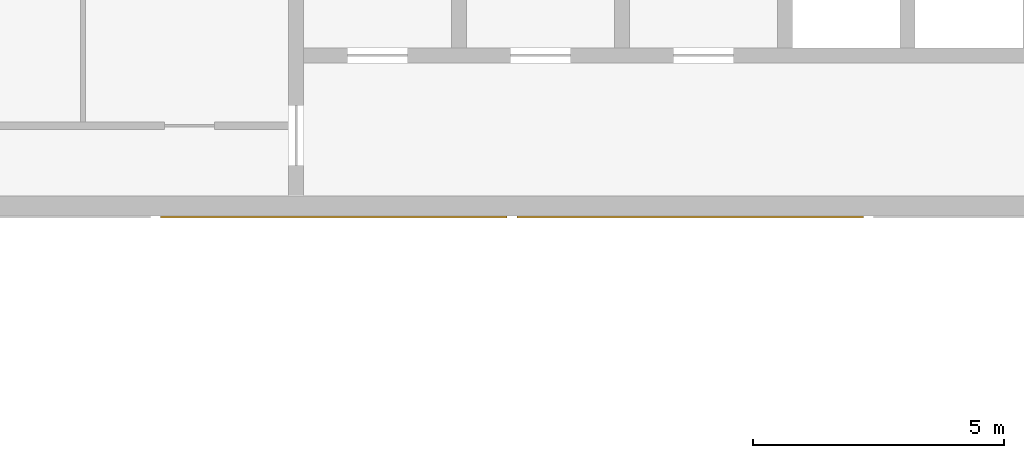
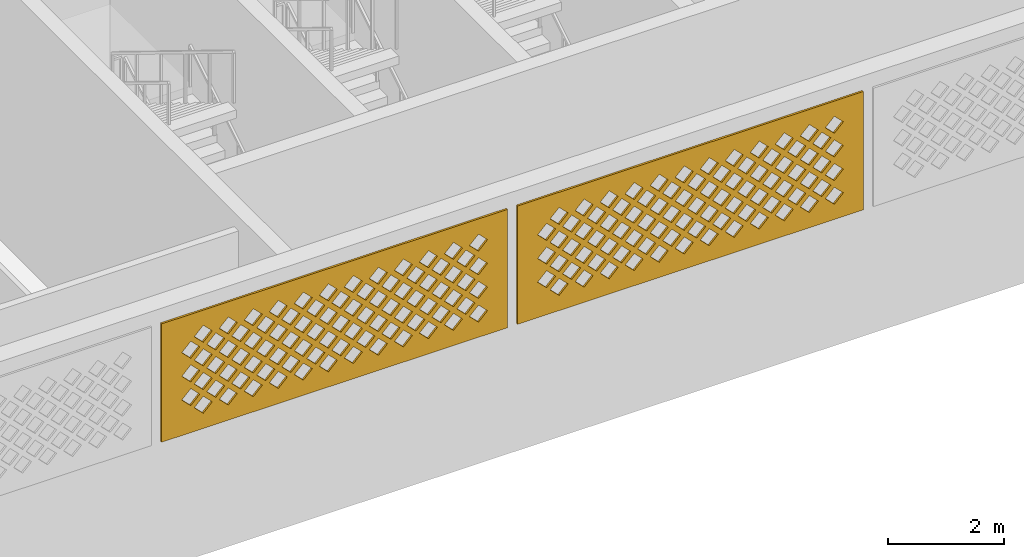
# One storey, part 27 of 69: 2 coverings.
"""IFC4 building model written with IfcOpenShell, lengths in metres."""

from ifc_helpers import new_model, si_unit, direction, frame, origin, place, context, subcontext, project, spatial, polyline, outline, extrude, material, layer, layer_set, type_object, element, save


model = new_model("IFC4")

# Units and contexts
model_context = context("Model", 3, precision=1e-05, world=origin(), true_north=direction((0.0, 1.0)))
body_context = subcontext(model_context, "Body", "Model", "MODEL_VIEW")
ifc_project = project(units=[si_unit("LENGTHUNIT", "METRE"), si_unit("AREAUNIT", "SQUARE_METRE"), si_unit("VOLUMEUNIT", "CUBIC_METRE"), si_unit("PLANEANGLEUNIT", "RADIAN"), si_unit("MASSUNIT", "GRAM", prefix="KILO")], contexts=[model_context])

# Site, building, storey
site_placement = place(None, origin())
site = spatial("IfcSite", under=ifc_project, at=site_placement, CompositionType="ELEMENT")
building_placement = place(site_placement, origin())
building = spatial("IfcBuilding", under=site, at=building_placement, Name="Noorbagh Ring Tower", CompositionType="ELEMENT")
storey_placement = place(building_placement, frame((0.0, 0.0, 19.5)))
storey = spatial("IfcBuildingStorey", under=building, at=storey_placement, Name="L03", CompositionType="ELEMENT", Elevation=19.5)

# Coverings
ifc_material = material(Name="Red sandstone jali", Category="masonry")
ifc_layer = layer(ifc_material, 0.0400390625)
ifc_layer_set = layer_set([ifc_layer], Name="Red sandstone jali")
covering_type = type_object("IfcCoveringType", Name="STH-BAND", PredefinedType="USERDEFINED", material=ifc_layer_set)
covering_1_placement = place(storey_placement, frame((-130.95556640625, -21.0400390625, 2.699951171875), z_axis=(0.0, -1.0, 0.0), x_axis=(1.0, 0.0, 0.0)))
element("IfcCovering", 1, at=covering_1_placement, inside=storey, type_object=covering_type, Name="Jali band", ObjectType="JALI SCREEN", PredefinedType="USERDEFINED", context=body_context, shape_type="SweptSolid", body=[
    extrude(outline(polyline([(0.0, 0.0), (6.9111328125, 0.0), (6.9111328125, 2.5), (0.0, 2.5), (0.0, 0.0)]), holes=[polyline([(0.650634765625, 0.5), (0.83056640625, 0.320068359375), (1.010498046875, 0.5), (0.83056640625, 0.679931640625), (0.650634765625, 0.5)]), polyline([(1.150634765625, 0.5), (1.33056640625, 0.320068359375), (1.510498046875, 0.5), (1.33056640625, 0.679931640625), (1.150634765625, 0.5)]), polyline([(1.650634765625, 0.5), (1.83056640625, 0.320068359375), (2.010498046875, 0.5), (1.83056640625, 0.679931640625), (1.650634765625, 0.5)]), polyline([(2.150634765625, 0.5), (2.33056640625, 0.320068359375), (2.510498046875, 0.5), (2.33056640625, 0.679931640625), (2.150634765625, 0.5)]), polyline([(2.650634765625, 0.5), (2.83056640625, 0.320068359375), (3.010498046875, 0.5), (2.83056640625, 0.679931640625), (2.650634765625, 0.5)]), polyline([(3.150634765625, 0.5), (3.33056640625, 0.320068359375), (3.510498046875, 0.5), (3.33056640625, 0.679931640625), (3.150634765625, 0.5)]), polyline([(3.650634765625, 0.5), (3.83056640625, 0.320068359375), (4.010498046875, 0.5), (3.83056640625, 0.679931640625), (3.650634765625, 0.5)]), polyline([(4.150634765625, 0.5), (4.33056640625, 0.320068359375), (4.510498046875, 0.5), (4.33056640625, 0.679931640625), (4.150634765625, 0.5)]), polyline([(4.650634765625, 0.5), (4.83056640625, 0.320068359375), (5.010498046875, 0.5), (4.83056640625, 0.679931640625), (4.650634765625, 0.5)]), polyline([(5.150634765625, 0.5), (5.33056640625, 0.320068359375), (5.510498046875, 0.5), (5.33056640625, 0.679931640625), (5.150634765625, 0.5)]), polyline([(5.650634765625, 0.5), (5.83056640625, 0.320068359375), (6.010498046875, 0.5), (5.83056640625, 0.679931640625), (5.650634765625, 0.5)]), polyline([(6.150634765625, 0.5), (6.33056640625, 0.320068359375), (6.510498046875, 0.5), (6.33056640625, 0.679931640625), (6.150634765625, 0.5)]), polyline([(0.400634765625, 0.75), (0.58056640625, 0.570068359375), (0.760498046875, 0.75), (0.58056640625, 0.929931640625), (0.400634765625, 0.75)]), polyline([(0.900634765625, 0.75), (1.08056640625, 0.570068359375), (1.260498046875, 0.75), (1.08056640625, 0.929931640625), (0.900634765625, 0.75)]), polyline([(1.400634765625, 0.75), (1.58056640625, 0.570068359375), (1.760498046875, 0.75), (1.58056640625, 0.929931640625), (1.400634765625, 0.75)]), polyline([(1.900634765625, 0.75), (2.08056640625, 0.570068359375), (2.260498046875, 0.75), (2.08056640625, 0.929931640625), (1.900634765625, 0.75)]), polyline([(2.400634765625, 0.75), (2.58056640625, 0.570068359375), (2.760498046875, 0.75), (2.58056640625, 0.929931640625), (2.400634765625, 0.75)]), polyline([(2.900634765625, 0.75), (3.08056640625, 0.570068359375), (3.260498046875, 0.75), (3.08056640625, 0.929931640625), (2.900634765625, 0.75)]), polyline([(3.400634765625, 0.75), (3.58056640625, 0.570068359375), (3.760498046875, 0.75), (3.58056640625, 0.929931640625), (3.400634765625, 0.75)]), polyline([(3.900634765625, 0.75), (4.08056640625, 0.570068359375), (4.260498046875, 0.75), (4.08056640625, 0.929931640625), (3.900634765625, 0.75)]), polyline([(4.400634765625, 0.75), (4.58056640625, 0.570068359375), (4.760498046875, 0.75), (4.58056640625, 0.929931640625), (4.400634765625, 0.75)]), polyline([(4.900634765625, 0.75), (5.08056640625, 0.570068359375), (5.260498046875, 0.75), (5.08056640625, 0.929931640625), (4.900634765625, 0.75)]), polyline([(5.400634765625, 0.75), (5.58056640625, 0.570068359375), (5.760498046875, 0.75), (5.58056640625, 0.929931640625), (5.400634765625, 0.75)]), polyline([(5.900634765625, 0.75), (6.08056640625, 0.570068359375), (6.260498046875, 0.75), (6.08056640625, 0.929931640625), (5.900634765625, 0.75)]), polyline([(0.650634765625, 1.0), (0.83056640625, 0.820068359375), (1.010498046875, 1.0), (0.83056640625, 1.179931640625), (0.650634765625, 1.0)]), polyline([(1.150634765625, 1.0), (1.33056640625, 0.820068359375), (1.510498046875, 1.0), (1.33056640625, 1.179931640625), (1.150634765625, 1.0)]), polyline([(1.650634765625, 1.0), (1.83056640625, 0.820068359375), (2.010498046875, 1.0), (1.83056640625, 1.179931640625), (1.650634765625, 1.0)]), polyline([(2.150634765625, 1.0), (2.33056640625, 0.820068359375), (2.510498046875, 1.0), (2.33056640625, 1.179931640625), (2.150634765625, 1.0)]), polyline([(2.650634765625, 1.0), (2.83056640625, 0.820068359375), (3.010498046875, 1.0), (2.83056640625, 1.179931640625), (2.650634765625, 1.0)]), polyline([(3.150634765625, 1.0), (3.33056640625, 0.820068359375), (3.510498046875, 1.0), (3.33056640625, 1.179931640625), (3.150634765625, 1.0)]), polyline([(3.650634765625, 1.0), (3.83056640625, 0.820068359375), (4.010498046875, 1.0), (3.83056640625, 1.179931640625), (3.650634765625, 1.0)]), polyline([(4.150634765625, 1.0), (4.33056640625, 0.820068359375), (4.510498046875, 1.0), (4.33056640625, 1.179931640625), (4.150634765625, 1.0)]), polyline([(4.650634765625, 1.0), (4.83056640625, 0.820068359375), (5.010498046875, 1.0), (4.83056640625, 1.179931640625), (4.650634765625, 1.0)]), polyline([(5.150634765625, 1.0), (5.33056640625, 0.820068359375), (5.510498046875, 1.0), (5.33056640625, 1.179931640625), (5.150634765625, 1.0)]), polyline([(5.650634765625, 1.0), (5.83056640625, 0.820068359375), (6.010498046875, 1.0), (5.83056640625, 1.179931640625), (5.650634765625, 1.0)]), polyline([(6.150634765625, 1.0), (6.33056640625, 0.820068359375), (6.510498046875, 1.0), (6.33056640625, 1.179931640625), (6.150634765625, 1.0)]), polyline([(0.400634765625, 1.25), (0.58056640625, 1.070068359375), (0.760498046875, 1.25), (0.58056640625, 1.429931640625), (0.400634765625, 1.25)]), polyline([(0.900634765625, 1.25), (1.08056640625, 1.070068359375), (1.260498046875, 1.25), (1.08056640625, 1.429931640625), (0.900634765625, 1.25)]), polyline([(1.400634765625, 1.25), (1.58056640625, 1.070068359375), (1.760498046875, 1.25), (1.58056640625, 1.429931640625), (1.400634765625, 1.25)]), polyline([(1.900634765625, 1.25), (2.08056640625, 1.070068359375), (2.260498046875, 1.25), (2.08056640625, 1.429931640625), (1.900634765625, 1.25)]), polyline([(2.400634765625, 1.25), (2.58056640625, 1.070068359375), (2.760498046875, 1.25), (2.58056640625, 1.429931640625), (2.400634765625, 1.25)]), polyline([(2.900634765625, 1.25), (3.08056640625, 1.070068359375), (3.260498046875, 1.25), (3.08056640625, 1.429931640625), (2.900634765625, 1.25)]), polyline([(3.400634765625, 1.25), (3.58056640625, 1.070068359375), (3.760498046875, 1.25), (3.58056640625, 1.429931640625), (3.400634765625, 1.25)]), polyline([(3.900634765625, 1.25), (4.08056640625, 1.070068359375), (4.260498046875, 1.25), (4.08056640625, 1.429931640625), (3.900634765625, 1.25)]), polyline([(4.400634765625, 1.25), (4.58056640625, 1.070068359375), (4.760498046875, 1.25), (4.58056640625, 1.429931640625), (4.400634765625, 1.25)]), polyline([(4.900634765625, 1.25), (5.08056640625, 1.070068359375), (5.260498046875, 1.25), (5.08056640625, 1.429931640625), (4.900634765625, 1.25)]), polyline([(5.400634765625, 1.25), (5.58056640625, 1.070068359375), (5.760498046875, 1.25), (5.58056640625, 1.429931640625), (5.400634765625, 1.25)]), polyline([(5.900634765625, 1.25), (6.08056640625, 1.070068359375), (6.260498046875, 1.25), (6.08056640625, 1.429931640625), (5.900634765625, 1.25)]), polyline([(0.650634765625, 1.5), (0.83056640625, 1.320068359375), (1.010498046875, 1.5), (0.83056640625, 1.679931640625), (0.650634765625, 1.5)]), polyline([(1.150634765625, 1.5), (1.33056640625, 1.320068359375), (1.510498046875, 1.5), (1.33056640625, 1.679931640625), (1.150634765625, 1.5)]), polyline([(1.650634765625, 1.5), (1.83056640625, 1.320068359375), (2.010498046875, 1.5), (1.83056640625, 1.679931640625), (1.650634765625, 1.5)]), polyline([(2.150634765625, 1.5), (2.33056640625, 1.320068359375), (2.510498046875, 1.5), (2.33056640625, 1.679931640625), (2.150634765625, 1.5)]), polyline([(2.650634765625, 1.5), (2.83056640625, 1.320068359375), (3.010498046875, 1.5), (2.83056640625, 1.679931640625), (2.650634765625, 1.5)]), polyline([(3.150634765625, 1.5), (3.33056640625, 1.320068359375), (3.510498046875, 1.5), (3.33056640625, 1.679931640625), (3.150634765625, 1.5)]), polyline([(3.650634765625, 1.5), (3.83056640625, 1.320068359375), (4.010498046875, 1.5), (3.83056640625, 1.679931640625), (3.650634765625, 1.5)]), polyline([(4.150634765625, 1.5), (4.33056640625, 1.320068359375), (4.510498046875, 1.5), (4.33056640625, 1.679931640625), (4.150634765625, 1.5)]), polyline([(4.650634765625, 1.5), (4.83056640625, 1.320068359375), (5.010498046875, 1.5), (4.83056640625, 1.679931640625), (4.650634765625, 1.5)]), polyline([(5.150634765625, 1.5), (5.33056640625, 1.320068359375), (5.510498046875, 1.5), (5.33056640625, 1.679931640625), (5.150634765625, 1.5)]), polyline([(5.650634765625, 1.5), (5.83056640625, 1.320068359375), (6.010498046875, 1.5), (5.83056640625, 1.679931640625), (5.650634765625, 1.5)]), polyline([(6.150634765625, 1.5), (6.33056640625, 1.320068359375), (6.510498046875, 1.5), (6.33056640625, 1.679931640625), (6.150634765625, 1.5)]), polyline([(0.400634765625, 1.75), (0.58056640625, 1.570068359375), (0.760498046875, 1.75), (0.58056640625, 1.929931640625), (0.400634765625, 1.75)]), polyline([(0.900634765625, 1.75), (1.08056640625, 1.570068359375), (1.260498046875, 1.75), (1.08056640625, 1.929931640625), (0.900634765625, 1.75)]), polyline([(1.400634765625, 1.75), (1.58056640625, 1.570068359375), (1.760498046875, 1.75), (1.58056640625, 1.929931640625), (1.400634765625, 1.75)]), polyline([(1.900634765625, 1.75), (2.08056640625, 1.570068359375), (2.260498046875, 1.75), (2.08056640625, 1.929931640625), (1.900634765625, 1.75)]), polyline([(2.400634765625, 1.75), (2.58056640625, 1.570068359375), (2.760498046875, 1.75), (2.58056640625, 1.929931640625), (2.400634765625, 1.75)]), polyline([(2.900634765625, 1.75), (3.08056640625, 1.570068359375), (3.260498046875, 1.75), (3.08056640625, 1.929931640625), (2.900634765625, 1.75)]), polyline([(3.400634765625, 1.75), (3.58056640625, 1.570068359375), (3.760498046875, 1.75), (3.58056640625, 1.929931640625), (3.400634765625, 1.75)]), polyline([(3.900634765625, 1.75), (4.08056640625, 1.570068359375), (4.260498046875, 1.75), (4.08056640625, 1.929931640625), (3.900634765625, 1.75)]), polyline([(4.400634765625, 1.75), (4.58056640625, 1.570068359375), (4.760498046875, 1.75), (4.58056640625, 1.929931640625), (4.400634765625, 1.75)]), polyline([(4.900634765625, 1.75), (5.08056640625, 1.570068359375), (5.260498046875, 1.75), (5.08056640625, 1.929931640625), (4.900634765625, 1.75)]), polyline([(5.400634765625, 1.75), (5.58056640625, 1.570068359375), (5.760498046875, 1.75), (5.58056640625, 1.929931640625), (5.400634765625, 1.75)]), polyline([(5.900634765625, 1.75), (6.08056640625, 1.570068359375), (6.260498046875, 1.75), (6.08056640625, 1.929931640625), (5.900634765625, 1.75)]), polyline([(0.650634765625, 2.0), (0.83056640625, 1.820068359375), (1.010498046875, 2.0), (0.83056640625, 2.179931640625), (0.650634765625, 2.0)]), polyline([(1.150634765625, 2.0), (1.33056640625, 1.820068359375), (1.510498046875, 2.0), (1.33056640625, 2.179931640625), (1.150634765625, 2.0)]), polyline([(1.650634765625, 2.0), (1.83056640625, 1.820068359375), (2.010498046875, 2.0), (1.83056640625, 2.179931640625), (1.650634765625, 2.0)]), polyline([(2.150634765625, 2.0), (2.33056640625, 1.820068359375), (2.510498046875, 2.0), (2.33056640625, 2.179931640625), (2.150634765625, 2.0)]), polyline([(2.650634765625, 2.0), (2.83056640625, 1.820068359375), (3.010498046875, 2.0), (2.83056640625, 2.179931640625), (2.650634765625, 2.0)]), polyline([(3.150634765625, 2.0), (3.33056640625, 1.820068359375), (3.510498046875, 2.0), (3.33056640625, 2.179931640625), (3.150634765625, 2.0)]), polyline([(3.650634765625, 2.0), (3.83056640625, 1.820068359375), (4.010498046875, 2.0), (3.83056640625, 2.179931640625), (3.650634765625, 2.0)]), polyline([(4.150634765625, 2.0), (4.33056640625, 1.820068359375), (4.510498046875, 2.0), (4.33056640625, 2.179931640625), (4.150634765625, 2.0)]), polyline([(4.650634765625, 2.0), (4.83056640625, 1.820068359375), (5.010498046875, 2.0), (4.83056640625, 2.179931640625), (4.650634765625, 2.0)]), polyline([(5.150634765625, 2.0), (5.33056640625, 1.820068359375), (5.510498046875, 2.0), (5.33056640625, 2.179931640625), (5.150634765625, 2.0)]), polyline([(5.650634765625, 2.0), (5.83056640625, 1.820068359375), (6.010498046875, 2.0), (5.83056640625, 2.179931640625), (5.650634765625, 2.0)]), polyline([(6.150634765625, 2.0), (6.33056640625, 1.820068359375), (6.510498046875, 2.0), (6.33056640625, 2.179931640625), (6.150634765625, 2.0)])]), origin(), (0.0, 0.0, -1.0), 0.0400390625),
])
covering_2_placement = place(storey_placement, frame((-123.844482421875, -21.0400390625, 2.699951171875), z_axis=(0.0, -1.0, 0.0), x_axis=(1.0, 0.0, 0.0)))
element("IfcCovering", 2, at=covering_2_placement, inside=storey, type_object=covering_type, Name="Jali band", ObjectType="JALI SCREEN", PredefinedType="USERDEFINED", context=body_context, shape_type="SweptSolid", body=[
    extrude(outline(polyline([(0.0, 0.0), (6.9111328125, 0.0), (6.9111328125, 2.5), (0.0, 2.5), (0.0, 0.0)]), holes=[polyline([(0.650634765625, 0.5), (0.83056640625, 0.320068359375), (1.010498046875, 0.5), (0.83056640625, 0.679931640625), (0.650634765625, 0.5)]), polyline([(1.150634765625, 0.5), (1.33056640625, 0.320068359375), (1.510498046875, 0.5), (1.33056640625, 0.679931640625), (1.150634765625, 0.5)]), polyline([(1.650634765625, 0.5), (1.83056640625, 0.320068359375), (2.010498046875, 0.5), (1.83056640625, 0.679931640625), (1.650634765625, 0.5)]), polyline([(2.150634765625, 0.5), (2.33056640625, 0.320068359375), (2.510498046875, 0.5), (2.33056640625, 0.679931640625), (2.150634765625, 0.5)]), polyline([(2.650634765625, 0.5), (2.83056640625, 0.320068359375), (3.010498046875, 0.5), (2.83056640625, 0.679931640625), (2.650634765625, 0.5)]), polyline([(3.150634765625, 0.5), (3.33056640625, 0.320068359375), (3.510498046875, 0.5), (3.33056640625, 0.679931640625), (3.150634765625, 0.5)]), polyline([(3.650634765625, 0.5), (3.83056640625, 0.320068359375), (4.010498046875, 0.5), (3.83056640625, 0.679931640625), (3.650634765625, 0.5)]), polyline([(4.150634765625, 0.5), (4.33056640625, 0.320068359375), (4.510498046875, 0.5), (4.33056640625, 0.679931640625), (4.150634765625, 0.5)]), polyline([(4.650634765625, 0.5), (4.83056640625, 0.320068359375), (5.010498046875, 0.5), (4.83056640625, 0.679931640625), (4.650634765625, 0.5)]), polyline([(5.150634765625, 0.5), (5.33056640625, 0.320068359375), (5.510498046875, 0.5), (5.33056640625, 0.679931640625), (5.150634765625, 0.5)]), polyline([(5.650634765625, 0.5), (5.83056640625, 0.320068359375), (6.010498046875, 0.5), (5.83056640625, 0.679931640625), (5.650634765625, 0.5)]), polyline([(6.150634765625, 0.5), (6.33056640625, 0.320068359375), (6.510498046875, 0.5), (6.33056640625, 0.679931640625), (6.150634765625, 0.5)]), polyline([(0.400634765625, 0.75), (0.58056640625, 0.570068359375), (0.760498046875, 0.75), (0.58056640625, 0.929931640625), (0.400634765625, 0.75)]), polyline([(0.900634765625, 0.75), (1.08056640625, 0.570068359375), (1.260498046875, 0.75), (1.08056640625, 0.929931640625), (0.900634765625, 0.75)]), polyline([(1.400634765625, 0.75), (1.58056640625, 0.570068359375), (1.760498046875, 0.75), (1.58056640625, 0.929931640625), (1.400634765625, 0.75)]), polyline([(1.900634765625, 0.75), (2.08056640625, 0.570068359375), (2.260498046875, 0.75), (2.08056640625, 0.929931640625), (1.900634765625, 0.75)]), polyline([(2.400634765625, 0.75), (2.58056640625, 0.570068359375), (2.760498046875, 0.75), (2.58056640625, 0.929931640625), (2.400634765625, 0.75)]), polyline([(2.900634765625, 0.75), (3.08056640625, 0.570068359375), (3.260498046875, 0.75), (3.08056640625, 0.929931640625), (2.900634765625, 0.75)]), polyline([(3.400634765625, 0.75), (3.58056640625, 0.570068359375), (3.760498046875, 0.75), (3.58056640625, 0.929931640625), (3.400634765625, 0.75)]), polyline([(3.900634765625, 0.75), (4.08056640625, 0.570068359375), (4.260498046875, 0.75), (4.08056640625, 0.929931640625), (3.900634765625, 0.75)]), polyline([(4.400634765625, 0.75), (4.58056640625, 0.570068359375), (4.760498046875, 0.75), (4.58056640625, 0.929931640625), (4.400634765625, 0.75)]), polyline([(4.900634765625, 0.75), (5.08056640625, 0.570068359375), (5.260498046875, 0.75), (5.08056640625, 0.929931640625), (4.900634765625, 0.75)]), polyline([(5.400634765625, 0.75), (5.58056640625, 0.570068359375), (5.760498046875, 0.75), (5.58056640625, 0.929931640625), (5.400634765625, 0.75)]), polyline([(5.900634765625, 0.75), (6.08056640625, 0.570068359375), (6.260498046875, 0.75), (6.08056640625, 0.929931640625), (5.900634765625, 0.75)]), polyline([(0.650634765625, 1.0), (0.83056640625, 0.820068359375), (1.010498046875, 1.0), (0.83056640625, 1.179931640625), (0.650634765625, 1.0)]), polyline([(1.150634765625, 1.0), (1.33056640625, 0.820068359375), (1.510498046875, 1.0), (1.33056640625, 1.179931640625), (1.150634765625, 1.0)]), polyline([(1.650634765625, 1.0), (1.83056640625, 0.820068359375), (2.010498046875, 1.0), (1.83056640625, 1.179931640625), (1.650634765625, 1.0)]), polyline([(2.150634765625, 1.0), (2.33056640625, 0.820068359375), (2.510498046875, 1.0), (2.33056640625, 1.179931640625), (2.150634765625, 1.0)]), polyline([(2.650634765625, 1.0), (2.83056640625, 0.820068359375), (3.010498046875, 1.0), (2.83056640625, 1.179931640625), (2.650634765625, 1.0)]), polyline([(3.150634765625, 1.0), (3.33056640625, 0.820068359375), (3.510498046875, 1.0), (3.33056640625, 1.179931640625), (3.150634765625, 1.0)]), polyline([(3.650634765625, 1.0), (3.83056640625, 0.820068359375), (4.010498046875, 1.0), (3.83056640625, 1.179931640625), (3.650634765625, 1.0)]), polyline([(4.150634765625, 1.0), (4.33056640625, 0.820068359375), (4.510498046875, 1.0), (4.33056640625, 1.179931640625), (4.150634765625, 1.0)]), polyline([(4.650634765625, 1.0), (4.83056640625, 0.820068359375), (5.010498046875, 1.0), (4.83056640625, 1.179931640625), (4.650634765625, 1.0)]), polyline([(5.150634765625, 1.0), (5.33056640625, 0.820068359375), (5.510498046875, 1.0), (5.33056640625, 1.179931640625), (5.150634765625, 1.0)]), polyline([(5.650634765625, 1.0), (5.83056640625, 0.820068359375), (6.010498046875, 1.0), (5.83056640625, 1.179931640625), (5.650634765625, 1.0)]), polyline([(6.150634765625, 1.0), (6.33056640625, 0.820068359375), (6.510498046875, 1.0), (6.33056640625, 1.179931640625), (6.150634765625, 1.0)]), polyline([(0.400634765625, 1.25), (0.58056640625, 1.070068359375), (0.760498046875, 1.25), (0.58056640625, 1.429931640625), (0.400634765625, 1.25)]), polyline([(0.900634765625, 1.25), (1.08056640625, 1.070068359375), (1.260498046875, 1.25), (1.08056640625, 1.429931640625), (0.900634765625, 1.25)]), polyline([(1.400634765625, 1.25), (1.58056640625, 1.070068359375), (1.760498046875, 1.25), (1.58056640625, 1.429931640625), (1.400634765625, 1.25)]), polyline([(1.900634765625, 1.25), (2.08056640625, 1.070068359375), (2.260498046875, 1.25), (2.08056640625, 1.429931640625), (1.900634765625, 1.25)]), polyline([(2.400634765625, 1.25), (2.58056640625, 1.070068359375), (2.760498046875, 1.25), (2.58056640625, 1.429931640625), (2.400634765625, 1.25)]), polyline([(2.900634765625, 1.25), (3.08056640625, 1.070068359375), (3.260498046875, 1.25), (3.08056640625, 1.429931640625), (2.900634765625, 1.25)]), polyline([(3.400634765625, 1.25), (3.58056640625, 1.070068359375), (3.760498046875, 1.25), (3.58056640625, 1.429931640625), (3.400634765625, 1.25)]), polyline([(3.900634765625, 1.25), (4.08056640625, 1.070068359375), (4.260498046875, 1.25), (4.08056640625, 1.429931640625), (3.900634765625, 1.25)]), polyline([(4.400634765625, 1.25), (4.58056640625, 1.070068359375), (4.760498046875, 1.25), (4.58056640625, 1.429931640625), (4.400634765625, 1.25)]), polyline([(4.900634765625, 1.25), (5.08056640625, 1.070068359375), (5.260498046875, 1.25), (5.08056640625, 1.429931640625), (4.900634765625, 1.25)]), polyline([(5.400634765625, 1.25), (5.58056640625, 1.070068359375), (5.760498046875, 1.25), (5.58056640625, 1.429931640625), (5.400634765625, 1.25)]), polyline([(5.900634765625, 1.25), (6.08056640625, 1.070068359375), (6.260498046875, 1.25), (6.08056640625, 1.429931640625), (5.900634765625, 1.25)]), polyline([(0.650634765625, 1.5), (0.83056640625, 1.320068359375), (1.010498046875, 1.5), (0.83056640625, 1.679931640625), (0.650634765625, 1.5)]), polyline([(1.150634765625, 1.5), (1.33056640625, 1.320068359375), (1.510498046875, 1.5), (1.33056640625, 1.679931640625), (1.150634765625, 1.5)]), polyline([(1.650634765625, 1.5), (1.83056640625, 1.320068359375), (2.010498046875, 1.5), (1.83056640625, 1.679931640625), (1.650634765625, 1.5)]), polyline([(2.150634765625, 1.5), (2.33056640625, 1.320068359375), (2.510498046875, 1.5), (2.33056640625, 1.679931640625), (2.150634765625, 1.5)]), polyline([(2.650634765625, 1.5), (2.83056640625, 1.320068359375), (3.010498046875, 1.5), (2.83056640625, 1.679931640625), (2.650634765625, 1.5)]), polyline([(3.150634765625, 1.5), (3.33056640625, 1.320068359375), (3.510498046875, 1.5), (3.33056640625, 1.679931640625), (3.150634765625, 1.5)]), polyline([(3.650634765625, 1.5), (3.83056640625, 1.320068359375), (4.010498046875, 1.5), (3.83056640625, 1.679931640625), (3.650634765625, 1.5)]), polyline([(4.150634765625, 1.5), (4.33056640625, 1.320068359375), (4.510498046875, 1.5), (4.33056640625, 1.679931640625), (4.150634765625, 1.5)]), polyline([(4.650634765625, 1.5), (4.83056640625, 1.320068359375), (5.010498046875, 1.5), (4.83056640625, 1.679931640625), (4.650634765625, 1.5)]), polyline([(5.150634765625, 1.5), (5.33056640625, 1.320068359375), (5.510498046875, 1.5), (5.33056640625, 1.679931640625), (5.150634765625, 1.5)]), polyline([(5.650634765625, 1.5), (5.83056640625, 1.320068359375), (6.010498046875, 1.5), (5.83056640625, 1.679931640625), (5.650634765625, 1.5)]), polyline([(6.150634765625, 1.5), (6.33056640625, 1.320068359375), (6.510498046875, 1.5), (6.33056640625, 1.679931640625), (6.150634765625, 1.5)]), polyline([(0.400634765625, 1.75), (0.58056640625, 1.570068359375), (0.760498046875, 1.75), (0.58056640625, 1.929931640625), (0.400634765625, 1.75)]), polyline([(0.900634765625, 1.75), (1.08056640625, 1.570068359375), (1.260498046875, 1.75), (1.08056640625, 1.929931640625), (0.900634765625, 1.75)]), polyline([(1.400634765625, 1.75), (1.58056640625, 1.570068359375), (1.760498046875, 1.75), (1.58056640625, 1.929931640625), (1.400634765625, 1.75)]), polyline([(1.900634765625, 1.75), (2.08056640625, 1.570068359375), (2.260498046875, 1.75), (2.08056640625, 1.929931640625), (1.900634765625, 1.75)]), polyline([(2.400634765625, 1.75), (2.58056640625, 1.570068359375), (2.760498046875, 1.75), (2.58056640625, 1.929931640625), (2.400634765625, 1.75)]), polyline([(2.900634765625, 1.75), (3.08056640625, 1.570068359375), (3.260498046875, 1.75), (3.08056640625, 1.929931640625), (2.900634765625, 1.75)]), polyline([(3.400634765625, 1.75), (3.58056640625, 1.570068359375), (3.760498046875, 1.75), (3.58056640625, 1.929931640625), (3.400634765625, 1.75)]), polyline([(3.900634765625, 1.75), (4.08056640625, 1.570068359375), (4.260498046875, 1.75), (4.08056640625, 1.929931640625), (3.900634765625, 1.75)]), polyline([(4.400634765625, 1.75), (4.58056640625, 1.570068359375), (4.760498046875, 1.75), (4.58056640625, 1.929931640625), (4.400634765625, 1.75)]), polyline([(4.900634765625, 1.75), (5.08056640625, 1.570068359375), (5.260498046875, 1.75), (5.08056640625, 1.929931640625), (4.900634765625, 1.75)]), polyline([(5.400634765625, 1.75), (5.58056640625, 1.570068359375), (5.760498046875, 1.75), (5.58056640625, 1.929931640625), (5.400634765625, 1.75)]), polyline([(5.900634765625, 1.75), (6.08056640625, 1.570068359375), (6.260498046875, 1.75), (6.08056640625, 1.929931640625), (5.900634765625, 1.75)]), polyline([(0.650634765625, 2.0), (0.83056640625, 1.820068359375), (1.010498046875, 2.0), (0.83056640625, 2.179931640625), (0.650634765625, 2.0)]), polyline([(1.150634765625, 2.0), (1.33056640625, 1.820068359375), (1.510498046875, 2.0), (1.33056640625, 2.179931640625), (1.150634765625, 2.0)]), polyline([(1.650634765625, 2.0), (1.83056640625, 1.820068359375), (2.010498046875, 2.0), (1.83056640625, 2.179931640625), (1.650634765625, 2.0)]), polyline([(2.150634765625, 2.0), (2.33056640625, 1.820068359375), (2.510498046875, 2.0), (2.33056640625, 2.179931640625), (2.150634765625, 2.0)]), polyline([(2.650634765625, 2.0), (2.83056640625, 1.820068359375), (3.010498046875, 2.0), (2.83056640625, 2.179931640625), (2.650634765625, 2.0)]), polyline([(3.150634765625, 2.0), (3.33056640625, 1.820068359375), (3.510498046875, 2.0), (3.33056640625, 2.179931640625), (3.150634765625, 2.0)]), polyline([(3.650634765625, 2.0), (3.83056640625, 1.820068359375), (4.010498046875, 2.0), (3.83056640625, 2.179931640625), (3.650634765625, 2.0)]), polyline([(4.150634765625, 2.0), (4.33056640625, 1.820068359375), (4.510498046875, 2.0), (4.33056640625, 2.179931640625), (4.150634765625, 2.0)]), polyline([(4.650634765625, 2.0), (4.83056640625, 1.820068359375), (5.010498046875, 2.0), (4.83056640625, 2.179931640625), (4.650634765625, 2.0)]), polyline([(5.150634765625, 2.0), (5.33056640625, 1.820068359375), (5.510498046875, 2.0), (5.33056640625, 2.179931640625), (5.150634765625, 2.0)]), polyline([(5.650634765625, 2.0), (5.83056640625, 1.820068359375), (6.010498046875, 2.0), (5.83056640625, 2.179931640625), (5.650634765625, 2.0)]), polyline([(6.150634765625, 2.0), (6.33056640625, 1.820068359375), (6.510498046875, 2.0), (6.33056640625, 2.179931640625), (6.150634765625, 2.0)])]), origin(), (0.0, 0.0, -1.0), 0.0400390625),
])

save(model, "model.ifc")
